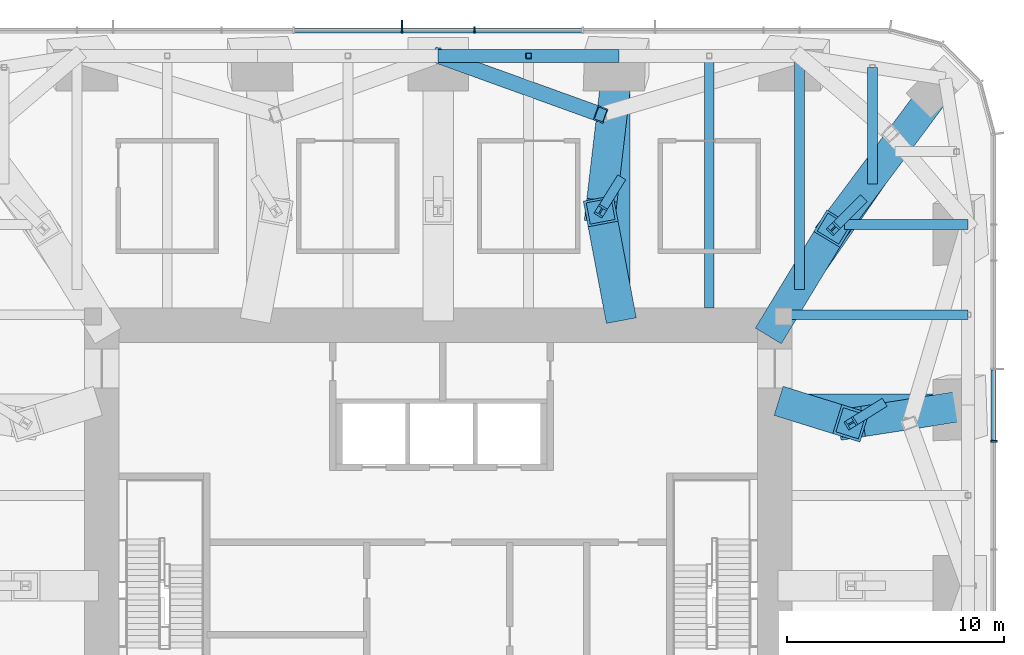
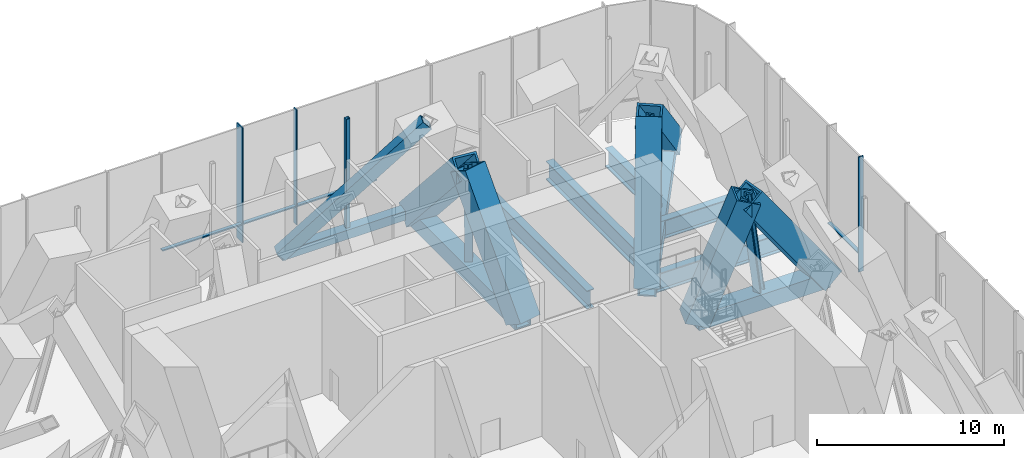
# One storey, part 8 of 16: 22 members, 5 beams, 2 elements without a shape of their own.
"""IFC4 building model written with IfcOpenShell, lengths in metres."""

import ifcopenshell
import ifcopenshell.guid

model = None  # the IFC model being written
_history = None  # IfcOwnerHistory: only IFC2X3 demands one
_inside = {}  # id of a spatial element -> (the spatial element, [elements in it])
_under = {}  # id of a project, library or spatial element -> (it, [spatial elements below it])
_declared = {}  # id of a project -> (the project, [libraries it declares])
_typed = {}  # id of a type object -> (the type object, [elements of that type])
_made_of = {}  # id of a material, layer set ... -> (it, [elements and type objects made of it])


def new_model(schema):
    """Start an empty IFC model of exactly this schema.

    Asked for "IFC4X3", IfcOpenShell would pick the latest addendum, in which some entities
    have other attributes; the version numbers below select the first issue.
    IFC2X3 requires an IfcOwnerHistory on every rooted entity: one is made here for all.
    """
    global model, _history
    if schema == "IFC4X3":
        model = ifcopenshell.file(schema_version=(4, 3, 0, 0))
    else:
        model = ifcopenshell.file(schema=schema)
    _inside.clear()
    _under.clear()
    _declared.clear()
    _typed.clear()
    _made_of.clear()
    _history = None
    if model.schema == "IFC2X3":
        org = make("IfcOrganization", Name="unknown")
        user = make(
            "IfcPersonAndOrganization",
            ThePerson=make("IfcPerson", FamilyName="unknown"),
            TheOrganization=org,
        )
        app = make(
            "IfcApplication",
            ApplicationDeveloper=org,
            Version="unknown",
            ApplicationFullName="unknown",
            ApplicationIdentifier="unknown",
        )
        _history = make(
            "IfcOwnerHistory",
            OwningUser=user,
            OwningApplication=app,
            ChangeAction="ADDED",
            CreationDate=0,
        )
    return model


def make(cls, **values):
    """One entity of the class cls with the attributes given. An attribute that is None is left unset."""
    return model.create_entity(
        cls, **{name: value for name, value in values.items() if value is not None}
    )


def rooted(cls, **values):
    """An entity with a GlobalId (a new one), such as an element, a storey or a relation."""
    return make(cls, GlobalId=ifcopenshell.guid.new(), OwnerHistory=_history, **values)


def si_unit(unit_type, name, prefix=None):
    """IfcSIUnit, for example si_unit("LENGTHUNIT", "METRE", prefix="MILLI")."""
    return make("IfcSIUnit", UnitType=unit_type, Prefix=prefix, Name=name)


def assignment(units):
    """IfcUnitAssignment: the units of a project."""
    return None if units is None else make("IfcUnitAssignment", Units=units)


def point(xyz):
    """IfcCartesianPoint."""
    return None if xyz is None else make("IfcCartesianPoint", Coordinates=xyz)


def direction(xyz):
    """IfcDirection."""
    return None if xyz is None else make("IfcDirection", DirectionRatios=xyz)


def frame(location, z_axis=None, x_axis=None):
    """IfcAxis2Placement3D, a coordinate frame: its origin and axes. An axis left out is left unset."""
    return make(
        "IfcAxis2Placement3D",
        Location=point(location),
        Axis=direction(z_axis),
        RefDirection=direction(x_axis),
    )


def frame_2d(location, x_axis=None):
    """IfcAxis2Placement2D, a coordinate frame in the plane: its origin and x axis."""
    return make(
        "IfcAxis2Placement2D", Location=point(location), RefDirection=direction(x_axis)
    )


def origin():
    """The frame at (0, 0, 0) with its axes left unset."""
    return frame((0.0, 0.0, 0.0))


def origin_2d():
    """The frame at (0, 0) in the plane with its x axis left unset."""
    return frame_2d((0.0, 0.0))


def place(relative_to, where):
    """IfcLocalPlacement: puts the frame where relative to a parent placement (None: the world)."""
    return make(
        "IfcLocalPlacement", PlacementRelTo=relative_to, RelativePlacement=where
    )


def context(
    kind, dimensions, precision=None, world=None, true_north=None, identifier=None
):
    """IfcGeometricRepresentationContext, for example the 3D "Model" context."""
    return make(
        "IfcGeometricRepresentationContext",
        ContextIdentifier=identifier,
        ContextType=kind,
        CoordinateSpaceDimension=dimensions,
        Precision=precision,
        WorldCoordinateSystem=world,
        TrueNorth=true_north,
    )


def subcontext(parent, identifier, kind, view, scale=None):
    """IfcGeometricRepresentationSubContext, for example "Body" below "Model"."""
    return make(
        "IfcGeometricRepresentationSubContext",
        ContextIdentifier=identifier,
        ContextType=kind,
        ParentContext=parent,
        TargetScale=scale,
        TargetView=view,
    )


def project(units=None, contexts=None):
    """IfcProject with its units and contexts."""
    return rooted(
        "IfcProject",
        Name="project",
        RepresentationContexts=contexts,
        UnitsInContext=assignment(units),
    )


def spatial(cls, under=None, at=None, **own):
    """A site, building, storey or space (cls), placed at a placement, below another one or the project."""
    s = rooted(cls, ObjectPlacement=at, **own)
    if under is not None:
        _under.setdefault(under.id(), (under, []))[1].append(s)
    return s


def profile(cls, at=None, kind="AREA", **sizes):
    """A parametric profile (cls). Its sizes go by their IFC names, for example OverallWidth=200.0."""
    return make(cls, ProfileType=kind, Position=at, **sizes)


def rectangle(**sizes):
    """IfcRectangleProfileDef."""
    return profile("IfcRectangleProfileDef", **sizes)


def hollow_rectangle(**sizes):
    """IfcRectangleHollowProfileDef."""
    return profile("IfcRectangleHollowProfileDef", **sizes)


def i_section(**sizes):
    """IfcIShapeProfileDef."""
    return profile("IfcIShapeProfileDef", **sizes)


def extrude(swept, where, along, depth):
    """IfcExtrudedAreaSolid: the profile swept, set in the frame where, extruded along a direction by depth."""
    return make(
        "IfcExtrudedAreaSolid",
        SweptArea=swept,
        Position=where,
        ExtrudedDirection=direction(along),
        Depth=depth,
    )


def shape(context_of_items, identifier, shape_type, items):
    """IfcShapeRepresentation: the items that make up one representation, for example the "Body"."""
    return make(
        "IfcShapeRepresentation",
        ContextOfItems=context_of_items,
        RepresentationIdentifier=identifier,
        RepresentationType=shape_type,
        Items=items,
    )


def material(Name=None, Category=None):
    """IfcMaterial."""
    return make("IfcMaterial", Name=Name, Category=Category)


def material_profile(
    of_material, cross_section, Name=None, Category=None, Priority=None
):
    """IfcMaterialProfile: a cross section and its material."""
    return make(
        "IfcMaterialProfile",
        Name=Name,
        Material=of_material,
        Profile=cross_section,
        Priority=Priority,
        Category=Category,
    )


def profile_set(profiles, Name=None, composite=None):
    """IfcMaterialProfileSet."""
    return make(
        "IfcMaterialProfileSet",
        Name=Name,
        MaterialProfiles=profiles,
        CompositeProfile=composite,
    )


def made_of(thing, what):
    """Note that an element or type object is made of a material, layer set ...; save() writes the relation."""
    if what is not None:
        _made_of.setdefault(what.id(), (what, []))[1].append(thing)
    return thing


def type_object(cls, material=None, **own):
    """A type object (cls), such as IfcWallType, which elements share."""
    return made_of(rooted(cls, **own), material)


def element(
    cls,
    number,
    at=None,
    inside=None,
    cuts=None,
    type_object=None,
    material=None,
    context=None,
    identifier="Body",
    shape_type=None,
    held_by="IfcProductDefinitionShape",
    body=None,
    shapes=None,
    **own,
):
    """One element of the class cls, such as IfcWall. Its Tag is "e" and its number.

    at: its placement. inside: the storey or other place that contains it. cuts: it is an
    opening in that element (IfcRelVoidsElement). A single representation is given by context,
    identifier, shape_type and body (its items); several are given by shapes. held_by: the class
    of the entity that holds the representations. save() writes the other relations.
    """
    e = rooted(cls, Tag="e%d" % number, ObjectPlacement=at, **own)
    if body is not None:
        shapes = [shape(context, identifier, shape_type, body)]
    if shapes is not None:
        e.Representation = make(held_by, Representations=shapes)
    if inside is not None:
        _inside.setdefault(inside.id(), (inside, []))[1].append(e)
    if cuts is not None:
        rooted(
            "IfcRelVoidsElement", RelatingBuildingElement=cuts, RelatedOpeningElement=e
        )
    if type_object is not None:
        _typed.setdefault(type_object.id(), (type_object, []))[1].append(e)
    return made_of(e, material)


def aggregate(whole, parts):
    """IfcRelAggregates: a whole, such as a stair, and the parts it consists of."""
    return rooted("IfcRelAggregates", RelatingObject=whole, RelatedObjects=parts)


def save(model, path):
    """Write the relations noted so far, then the file.

    IfcRelAggregates (storeys below a building ...), IfcRelContainedInSpatialStructure (elements
    in a storey), IfcRelDefinesByType, IfcRelAssociatesMaterial and IfcRelDeclares: one each for
    every whole, place, type object, material and project.
    """
    for whole, parts in _under.values():
        aggregate(whole, parts)
    for where, things in _inside.values():
        rooted(
            "IfcRelContainedInSpatialStructure",
            RelatedElements=things,
            RelatingStructure=where,
        )
    for kind, things in _typed.values():
        rooted("IfcRelDefinesByType", RelatedObjects=things, RelatingType=kind)
    for what, things in _made_of.values():
        rooted("IfcRelAssociatesMaterial", RelatedObjects=things, RelatingMaterial=what)
    for by, libraries in _declared.values():
        rooted("IfcRelDeclares", RelatingContext=by, RelatedDefinitions=libraries)
    model.write(path)


model = new_model("IFC4")

# Units and contexts
model_context = context("Model", 3, precision=1e-05, world=origin(), true_north=direction((0.0, 1.0)))
body_context = subcontext(model_context, "Body", "Model", "MODEL_VIEW")
ifc_project = project(units=[si_unit("LENGTHUNIT", "METRE"), si_unit("AREAUNIT", "SQUARE_METRE"), si_unit("VOLUMEUNIT", "CUBIC_METRE"), si_unit("PLANEANGLEUNIT", "RADIAN"), si_unit("MASSUNIT", "GRAM", prefix="KILO")], contexts=[model_context])

# Site, building, storey
site_placement = place(None, origin())
site = spatial("IfcSite", under=ifc_project, at=site_placement, CompositionType="ELEMENT")
building_placement = place(site_placement, origin())
building = spatial("IfcBuilding", under=site, at=building_placement, Name="Khuree Lantern Residences", CompositionType="ELEMENT")
storey_placement = place(building_placement, frame((0.0, 0.0, 278.25)))
storey = spatial("IfcBuildingStorey", under=building, at=storey_placement, Name="L70", CompositionType="ELEMENT", Elevation=278.25)

# Beams
ifc_material_1 = material(Name="Steel S355", Category="steel")
ifc_material_profile_1 = material_profile(ifc_material_1, i_section(OverallWidth=0.449951171875, OverallDepth=1.199951171875, WebThickness=0.02490234375, FlangeThickness=0.044921875, at=origin_2d()), Name="WELDED I 1200X450X25X45")
ifc_profile_set_1 = profile_set([ifc_material_profile_1], Name="Steel S355")
beam_type_1 = type_object("IfcBeamType", Name="B-70 SECONDARY BEAM WELDED I 1200X450X25X45", PredefinedType="BEAM", material=ifc_profile_set_1)
beam_1_placement = place(storey_placement, frame((12.47998046875, 24.39990234375, -0.949951171875), z_axis=(0.0, -1.0, 0.0), x_axis=(1.0, 0.0, 0.0)))
element("IfcBeam", 1, at=beam_1_placement, inside=storey, type_object=beam_type_1, Name="Secondary beam N4", PredefinedType="BEAM", context=body_context, shape_type="SweptSolid", body=[
    extrude(i_section(OverallWidth=0.449951171875, OverallDepth=1.199951171875, WebThickness=0.02490234375, FlangeThickness=0.044921875, at=origin_2d()), origin(), (0.0, 0.0, 1.0), 11.599853515625),
])
beam_2_placement = place(storey_placement, frame((19.992919921875, 23.872802734375, -0.949951171875), z_axis=(0.0, -1.0, 0.0), x_axis=(1.0, 0.0, 0.0)))
element("IfcBeam", 2, at=beam_2_placement, inside=storey, type_object=beam_type_1, Name="Secondary beam N5", PredefinedType="BEAM", context=body_context, shape_type="SweptSolid", body=[
    extrude(i_section(OverallWidth=0.449951171875, OverallDepth=1.199951171875, WebThickness=0.02490234375, FlangeThickness=0.044921875, at=origin_2d()), origin(), (0.0, 0.0, 1.0), 5.375732421875),
])
beam_3_placement = place(storey_placement, frame((24.39990234375, 12.47998046875, -0.949951171875), z_axis=(-1.0, 0.0, 0.0), x_axis=(0.0, -1.0, 0.0)))
element("IfcBeam", 3, at=beam_3_placement, inside=storey, type_object=beam_type_1, Name="Secondary beam E2", PredefinedType="BEAM", context=body_context, shape_type="SweptSolid", body=[
    extrude(i_section(OverallWidth=0.449951171875, OverallDepth=1.199951171875, WebThickness=0.02490234375, FlangeThickness=0.044921875, at=origin_2d()), origin(), (0.0, 0.0, 1.0), 8.56787109375),
])

# Members
ifc_material_profile_2 = material_profile(ifc_material_1, hollow_rectangle(XDim=0.699951171875, YDim=0.699951171875, WallThickness=0.06005859375, at=origin_2d()), Name="WELDED BOX 700X700X60")
ifc_profile_set_2 = profile_set([ifc_material_profile_2], Name="Steel S355")
member_type_1 = type_object("IfcMemberType", Name="BD-70 BELT TRUSS DIAGONAL WELDED BOX 700X700X60", PredefinedType="BRACE", material=ifc_profile_set_2)
member_1_placement = place(storey_placement, frame((0.0, 24.39990234375, -0.64990234375), z_axis=(0.680004918854, -0.245452522932, 0.690902575853), x_axis=(0.339516210301, 0.940600203563, 0.0)))
element("IfcMember", 4, at=member_1_placement, inside=storey, type_object=member_type_1, Name="Belt truss diagonal N3", PredefinedType="BRACE", context=body_context, shape_type="SweptSolid", body=[
    extrude(hollow_rectangle(XDim=0.699951171875, YDim=0.699951171875, WallThickness=0.06005859375, at=origin_2d()), origin(), (0.0, 0.0, 1.0), 11.0),
])
ifc_material_profile_3 = material_profile(ifc_material_1, hollow_rectangle(XDim=0.60009765625, YDim=0.60009765625, WallThickness=0.050048828125, at=origin_2d()), Name="WELDED BOX 600X600X50")
ifc_profile_set_3 = profile_set([ifc_material_profile_3], Name="Steel S355")
member_type_2 = type_object("IfcMemberType", Name="BT-70 BELT TRUSS CHORD WELDED BOX 600X600X50", PredefinedType="CHORD", material=ifc_profile_set_3)
member_2_placement = place(storey_placement, frame((0.0, 24.39990234375, -0.64990234375), z_axis=(1.0, 0.0, 0.0), x_axis=(0.0, 1.0, 0.0)))
element("IfcMember", 5, at=member_2_placement, inside=storey, type_object=member_type_2, Name="Belt truss chord N3", PredefinedType="CHORD", context=body_context, shape_type="SweptSolid", body=[
    extrude(hollow_rectangle(XDim=0.60009765625, YDim=0.60009765625, WallThickness=0.050048828125, at=origin_2d()), origin(), (0.0, 0.0, 1.0), 8.320068359375),
])

# Curtain wall, member
ifc_material_2 = material(Name="Bronze anodised aluminium", Category="aluminium")
curtain_wall_type = type_object("IfcCurtainWallType", Name="CW-G PLANT STOREY LOUVRED CURTAIN WALL", PredefinedType="USERDEFINED", material=ifc_material_2)
curtain_wall_1_placement = place(storey_placement, origin())
curtain_wall_1 = element("IfcCurtainWall", 6, at=curtain_wall_1_placement, inside=storey, type_object=curtain_wall_type, Name="L70 NORTH FACE CURTAIN WALL", ObjectType="Louvred curtain wall", PredefinedType="USERDEFINED")
ifc_material_profile_4 = material_profile(ifc_material_2, rectangle(XDim=0.080078125, YDim=0.60009765625, at=origin_2d()), Name="F2 80X600")
ifc_profile_set_4 = profile_set([ifc_material_profile_4], Name="Bronze anodised aluminium")
member_type_3 = type_object("IfcMemberType", Name="F2 BRONZE FIN MULLION PLANT 80X600", PredefinedType="MULLION", material=ifc_profile_set_4)
member_3_placement = place(storey_placement, frame((-1.6640625, 25.75, 0.0), z_axis=(0.0, 0.0, 1.0), x_axis=(-1.0, 0.0, 0.0)))
member_3 = element("IfcMember", 7, at=member_3_placement, type_object=member_type_3, Name="L70 NORTH FACE FIN MULLION 24", PredefinedType="MULLION", context=body_context, shape_type="SweptSolid", body=[
    extrude(rectangle(XDim=0.080078125, YDim=0.60009765625, at=origin_2d()), origin(), (0.0, 0.0, 1.0), 7.5),
])

# Beams
ifc_material_profile_5 = material_profile(ifc_material_1, i_section(OverallWidth=0.449951171875, OverallDepth=1.199951171875, WebThickness=0.02490234375, FlangeThickness=0.044921875, at=origin_2d()), Name="WELDED I 1200X450X25X45")
ifc_profile_set_5 = profile_set([ifc_material_profile_5], Name="Steel S355")
beam_type_2 = type_object("IfcBeamType", Name="G-70 GIRDER WELDED I 1200X450X25X45", PredefinedType="BEAM", material=ifc_profile_set_5)
beam_4_placement = place(storey_placement, frame((16.639892578125, 24.39990234375, -0.949951171875), z_axis=(0.0, -1.0, 0.0), x_axis=(1.0, 0.0, 0.0)))
element("IfcBeam", 8, at=beam_4_placement, inside=storey, type_object=beam_type_2, Name="Girder N5", PredefinedType="BEAM", context=body_context, shape_type="SweptSolid", body=[
    extrude(i_section(OverallWidth=0.449951171875, OverallDepth=1.199951171875, WebThickness=0.02490234375, FlangeThickness=0.044921875, at=origin_2d()), origin(), (0.0, 0.0, 1.0), 10.751220703125),
])
beam_5_placement = place(storey_placement, frame((24.39990234375, 16.639892578125, -0.949951171875), z_axis=(-1.0, 0.0, 0.0), x_axis=(0.0, -1.0, 0.0)))
element("IfcBeam", 9, at=beam_5_placement, inside=storey, type_object=beam_type_2, Name="Girder E1", PredefinedType="BEAM", context=body_context, shape_type="SweptSolid", body=[
    extrude(i_section(OverallWidth=0.449951171875, OverallDepth=1.199951171875, WebThickness=0.02490234375, FlangeThickness=0.044921875, at=origin_2d()), origin(), (0.0, 0.0, 1.0), 5.69140625),
])

# Curtain wall, member
curtain_wall_2_placement = place(storey_placement, origin())
curtain_wall_2 = element("IfcCurtainWall", 10, at=curtain_wall_2_placement, inside=storey, type_object=curtain_wall_type, Name="L70 EAST FACE CURTAIN WALL", ObjectType="Louvred curtain wall", PredefinedType="USERDEFINED")
ifc_material_profile_6 = material_profile(ifc_material_2, rectangle(XDim=0.080078125, YDim=0.300048828125, at=origin_2d()), Name="M2 80X300")
ifc_profile_set_6 = profile_set([ifc_material_profile_6], Name="Bronze anodised aluminium")
member_type_4 = type_object("IfcMemberType", Name="MULLION M2 PLANT 80X300", PredefinedType="MULLION", material=ifc_profile_set_6)
member_4_placement = place(storey_placement, frame((25.60009765625, 6.656005859375, 0.0), z_axis=(0.0, 0.0, 1.0), x_axis=(0.0, 1.0, 0.0)))
member_4 = element("IfcMember", 11, at=member_4_placement, type_object=member_type_4, Name="L70 EAST FACE MULLION 11", PredefinedType="MULLION", context=body_context, shape_type="SweptSolid", body=[
    extrude(rectangle(XDim=0.080078125, YDim=0.300048828125, at=origin_2d()), origin(), (0.0, 0.0, 1.0), 7.5),
])

# Member
member_5_placement = place(storey_placement, frame((1.6640625, 25.60009765625, 0.0), z_axis=(0.0, 0.0, 1.0), x_axis=(-1.0, 0.0, 0.0)))
member_5 = element("IfcMember", 12, at=member_5_placement, type_object=member_type_4, Name="L70 NORTH FACE MULLION 23", PredefinedType="MULLION", context=body_context, shape_type="SweptSolid", body=[
    extrude(rectangle(XDim=0.080078125, YDim=0.300048828125, at=origin_2d()), origin(), (0.0, 0.0, 1.0), 7.5),
])

# Members
ifc_material_profile_7 = material_profile(ifc_material_1, hollow_rectangle(XDim=1.39990234375, YDim=1.39990234375, WallThickness=0.1201171875, at=origin_2d()), Name="WELDED BOX 1400X1400X120")
ifc_profile_set_7 = profile_set([ifc_material_profile_7], Name="Steel S355")
member_type_5 = type_object("IfcMemberType", Name="OD-70 OUTRIGGER TRUSS DIAGONAL WELDED BOX 1400X1400X120", PredefinedType="BRACE", material=ifc_profile_set_7)
member_6_placement = place(storey_placement, frame((15.5, 12.0, -0.85009765625), z_axis=(0.292591683505, 0.482667556929, 0.825482971497), x_axis=(-0.855146082059, 0.518387093146, 0.0)))
element("IfcMember", 13, at=member_6_placement, inside=storey, type_object=member_type_5, Name="Outrigger diagonal NE core side", PredefinedType="BRACE", context=body_context, shape_type="SweptSolid", body=[
    extrude(hollow_rectangle(XDim=1.39990234375, YDim=1.39990234375, WallThickness=0.1201171875, at=origin_2d()), origin(), (0.0, 0.0, 1.0), 9.206787109375),
])
member_7_placement = place(storey_placement, frame((18.19384765625, 16.44384765625, 6.75), z_axis=(0.448515604261, 0.600868928654, -0.661657224938), x_axis=(-0.801365374219, 0.598175172507, 0.0)))
element("IfcMember", 14, at=member_7_placement, inside=storey, type_object=member_type_5, Name="Outrigger diagonal NE column side", PredefinedType="BRACE", context=body_context, shape_type="SweptSolid", body=[
    extrude(hollow_rectangle(XDim=1.39990234375, YDim=1.39990234375, WallThickness=0.1201171875, at=origin_2d()), origin(), (0.0, 0.0, 1.0), 11.486572265625),
])
member_8_placement = place(storey_placement, frame((8.320068359375, 12.800048828125, -0.85009765625), z_axis=(-0.09495744197, 0.502990204822, 0.859059915296), x_axis=(-0.982642559949, -0.185509027749, 0.0)))
element("IfcMember", 15, at=member_8_placement, inside=storey, type_object=member_type_5, Name="Outrigger diagonal N4 core side", PredefinedType="BRACE", context=body_context, shape_type="SweptSolid", body=[
    extrude(hollow_rectangle(XDim=1.39990234375, YDim=1.39990234375, WallThickness=0.1201171875, at=origin_2d()), origin(), (0.0, 0.0, 1.0), 8.846923828125),
])
member_9_placement = place(storey_placement, frame((7.47998046875, 17.25, 6.75), z_axis=(0.080249541393, 0.682995660919, -0.726000646193), x_axis=(-0.99316795482, 0.116693673856, 0.0)))
element("IfcMember", 16, at=member_9_placement, inside=storey, type_object=member_type_5, Name="Outrigger diagonal N4 column side", PredefinedType="BRACE", context=body_context, shape_type="SweptSolid", body=[
    extrude(hollow_rectangle(XDim=1.39990234375, YDim=1.39990234375, WallThickness=0.1201171875, at=origin_2d()), origin(), (0.0, 0.0, 1.0), 10.468505859375),
])
member_10_placement = place(storey_placement, frame((16.300048828125, 8.320068359375, -0.85009765625), z_axis=(0.332954599598, -0.103598587324, 0.937234531647), x_axis=(0.297099790483, 0.954846435033, 0.0)))
element("IfcMember", 17, at=member_10_placement, inside=storey, type_object=member_type_5, Name="Outrigger diagonal E2 core side", PredefinedType="BRACE", context=body_context, shape_type="SweptSolid", body=[
    extrude(hollow_rectangle(XDim=1.39990234375, YDim=1.39990234375, WallThickness=0.1201171875, at=origin_2d()), origin(), (0.0, 0.0, 1.0), 8.109130859375),
])
member_11_placement = place(storey_placement, frame((19.0, 7.47998046875, 6.75), z_axis=(0.576858069991, 0.089744489504, -0.8118994357), x_axis=(-0.153725423234, 0.98811360392, 0.0)))
element("IfcMember", 18, at=member_11_placement, inside=storey, type_object=member_type_5, Name="Outrigger diagonal E2 column side", PredefinedType="BRACE", context=body_context, shape_type="SweptSolid", body=[
    extrude(hollow_rectangle(XDim=1.39990234375, YDim=1.39990234375, WallThickness=0.1201171875, at=origin_2d()), origin(), (0.0, 0.0, 1.0), 9.36083984375),
])
ifc_material_profile_8 = material_profile(ifc_material_1, i_section(OverallWidth=0.431884765625, OverallDepth=0.498046875, WebThickness=0.0556640625, FlangeThickness=0.0888671875, FilletRadius=0.014892578125, at=origin_2d()), Name="HD 400X744")
ifc_profile_set_8 = profile_set([ifc_material_profile_8], Name="Steel S355")
member_type_6 = type_object("IfcMemberType", Name="OP-70 OUTRIGGER TRUSS POST HD 400X744", PredefinedType="POST", material=ifc_profile_set_8)
member_12_placement = place(storey_placement, frame((19.4228515625, 17.6728515625, -0.85009765625), z_axis=(-0.157639261852, -0.157639261852, 0.974833178675), x_axis=(0.707106781187, -0.707106781187, 0.0)))
element("IfcMember", 19, at=member_12_placement, inside=storey, type_object=member_type_6, Name="Outrigger post NE", PredefinedType="POST", context=body_context, shape_type="SweptSolid", body=[
    extrude(i_section(OverallWidth=0.431884765625, OverallDepth=0.498046875, WebThickness=0.0556640625, FlangeThickness=0.0888671875, FilletRadius=0.014892578125, at=origin_2d()), origin(), (0.0, 0.0, 1.0), 7.79638671875),
])
for number, where, z_axis, x_axis, name in (
    (20, (8.320068359375, 18.60009765625, -0.85009765625), (-0.108193731161, -0.173877167487, 0.9788058271), (0.849048951527, -0.528314184847, 0.0), "Outrigger post N4"),
    (21, (20.35009765625, 8.320068359375, -0.85009765625), (-0.173877167487, -0.108193731161, 0.9788058271), (0.528314184847, -0.849048951527, 0.0), "Outrigger post E2"),
):
    element("IfcMember", number, at=place(storey_placement, frame(where, z_axis=z_axis, x_axis=x_axis)), inside=storey, type_object=member_type_6, Name=name, PredefinedType="POST", context=body_context, shape_type="SweptSolid", body=[
        extrude(i_section(OverallWidth=0.431884765625, OverallDepth=0.498046875, WebThickness=0.0556640625, FlangeThickness=0.0888671875, FilletRadius=0.014892578125, at=origin_2d()), origin(), (0.0, 0.0, 1.0), 7.7646484375),
    ])
ifc_material_profile_9 = material_profile(ifc_material_1, hollow_rectangle(XDim=1.0, YDim=1.0, WallThickness=0.080078125, at=origin_2d()), Name="WELDED BOX 1000X1000X80")
ifc_profile_set_9 = profile_set([ifc_material_profile_9], Name="Steel S355")
member_type_7 = type_object("IfcMemberType", Name="OT-70 OUTRIGGER TRUSS CHORD WELDED BOX 1000X1000X80", PredefinedType="CHORD", material=ifc_profile_set_9)
member_13_placement = place(storey_placement, frame((8.320068359375, 24.39990234375, -0.85009765625), z_axis=(0.0, -1.0, 0.0), x_axis=(1.0, 0.0, 0.0)))
element("IfcMember", 22, at=member_13_placement, inside=storey, type_object=member_type_7, Name="Outrigger chord N4", PredefinedType="CHORD", context=body_context, shape_type="SweptSolid", body=[
    extrude(hollow_rectangle(XDim=1.0, YDim=1.0, WallThickness=0.080078125, at=origin_2d()), origin(), (0.0, 0.0, 1.0), 11.599853515625),
])
member_14_placement = place(storey_placement, frame((24.39990234375, 8.320068359375, -0.85009765625), z_axis=(-1.0, 0.0, 0.0), x_axis=(0.0, -1.0, 0.0)))
element("IfcMember", 23, at=member_14_placement, inside=storey, type_object=member_type_7, Name="Outrigger chord E2", PredefinedType="CHORD", context=body_context, shape_type="SweptSolid", body=[
    extrude(hollow_rectangle(XDim=1.0, YDim=1.0, WallThickness=0.080078125, at=origin_2d()), origin(), (0.0, 0.0, 1.0), 8.099853515625),
])
member_15_placement = place(storey_placement, frame((23.345703125, 23.345703125, -0.85009765625), z_axis=(-0.56876813501, -0.822497907959, 0.0), x_axis=(0.822497907959, -0.56876813501, 0.0)))
element("IfcMember", 24, at=member_15_placement, inside=storey, type_object=member_type_7, Name="Outrigger chord NE", PredefinedType="CHORD", context=body_context, shape_type="SweptSolid", body=[
    extrude(hollow_rectangle(XDim=1.0, YDim=1.0, WallThickness=0.080078125, at=origin_2d()), origin(), (0.0, 0.0, 1.0), 13.794189453125),
])
ifc_material_profile_10 = material_profile(ifc_material_1, hollow_rectangle(XDim=0.25, YDim=0.25, WallThickness=0.012451171875, InnerFilletRadius=0.012451171875, OuterFilletRadius=0.018798828125, at=origin_2d()), Name="SHS 250X250X12.5")
ifc_profile_set_10 = profile_set([ifc_material_profile_10], Name="Steel S355")
member_type_8 = type_object("IfcMemberType", Name="TP1 TERRACE POST SHS 250X250X12.5", PredefinedType="POST", material=ifc_profile_set_10)
member_16_placement = place(storey_placement, frame((4.159912109375, 24.39990234375, -0.35009765625), z_axis=(0.0, 0.0, 1.0), x_axis=(1.0, 0.0, 0.0)))
element("IfcMember", 25, at=member_16_placement, inside=storey, type_object=member_type_8, Name="Terrace post N3", PredefinedType="POST", context=body_context, shape_type="SweptSolid", body=[
    extrude(hollow_rectangle(XDim=0.25, YDim=0.25, WallThickness=0.012451171875, InnerFilletRadius=0.012451171875, OuterFilletRadius=0.018798828125, at=origin_2d()), origin(), (0.0, 0.0, 1.0), 7.10009765625),
])

# Member
ifc_material_profile_11 = material_profile(ifc_material_2, rectangle(XDim=0.219970703125, YDim=0.080078125, at=origin_2d()), Name="T2 220X80")
ifc_profile_set_11 = profile_set([ifc_material_profile_11], Name="Bronze anodised aluminium")
member_type_9 = type_object("IfcMemberType", Name="TRANSOM T2 PLANT 220X80", PredefinedType="USERDEFINED", material=ifc_profile_set_11)
member_17_placement = place(storey_placement, frame((25.570068359375, 6.696044921875, 1.199951171875), z_axis=(0.0, 1.0, 0.0), x_axis=(-1.0, 0.0, 0.0)))
member_17 = element("IfcMember", 26, at=member_17_placement, type_object=member_type_9, Name="L70 EAST FACE TRANSOM 11.1", ObjectType="Transom", PredefinedType="USERDEFINED", context=body_context, shape_type="SweptSolid", body=[
    extrude(rectangle(XDim=0.219970703125, YDim=0.080078125, at=origin_2d()), origin(), (0.0, 0.0, 1.0), 3.248046875),
])

aggregate(curtain_wall_2, [member_4, member_17])

member_18_placement = place(storey_placement, frame((6.615966796875, 25.570068359375, 1.199951171875), z_axis=(-1.0, 0.0, 0.0), x_axis=(0.0, -1.0, 0.0)))
member_18 = element("IfcMember", 27, at=member_18_placement, type_object=member_type_9, Name="L70 NORTH FACE TRANSOM 22.1", ObjectType="Transom", PredefinedType="USERDEFINED", context=body_context, shape_type="SweptSolid", body=[
    extrude(rectangle(XDim=0.219970703125, YDim=0.080078125, at=origin_2d()), origin(), (0.0, 0.0, 1.0), 4.911865234375),
])

member_19_placement = place(storey_placement, frame((1.6240234375, 25.570068359375, 1.199951171875), z_axis=(-1.0, 0.0, 0.0), x_axis=(0.0, -1.0, 0.0)))
member_19 = element("IfcMember", 28, at=member_19_placement, type_object=member_type_9, Name="L70 NORTH FACE TRANSOM 23.1", ObjectType="Transom", PredefinedType="USERDEFINED", context=body_context, shape_type="SweptSolid", body=[
    extrude(rectangle(XDim=0.219970703125, YDim=0.080078125, at=origin_2d()), origin(), (0.0, 0.0, 1.0), 3.248046875),
])

member_20_placement = place(storey_placement, frame((-1.7041015625, 25.570068359375, 1.199951171875), z_axis=(-1.0, 0.0, 0.0), x_axis=(0.0, -1.0, 0.0)))
member_20 = element("IfcMember", 29, at=member_20_placement, type_object=member_type_9, Name="L70 NORTH FACE TRANSOM 24.1", ObjectType="Transom", PredefinedType="USERDEFINED", context=body_context, shape_type="SweptSolid", body=[
    extrude(rectangle(XDim=0.219970703125, YDim=0.080078125, at=origin_2d()), origin(), (0.0, 0.0, 1.0), 4.911865234375),
])

aggregate(curtain_wall_1, [member_5, member_3, member_18, member_19, member_20])

save(model, "model.ifc")
